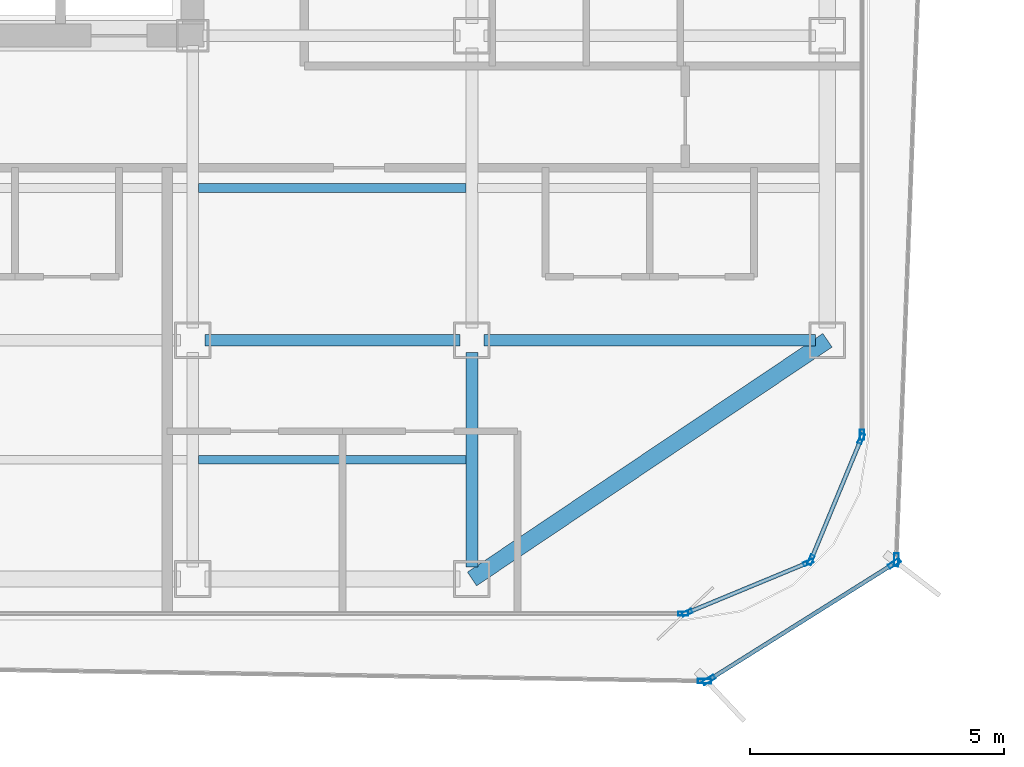
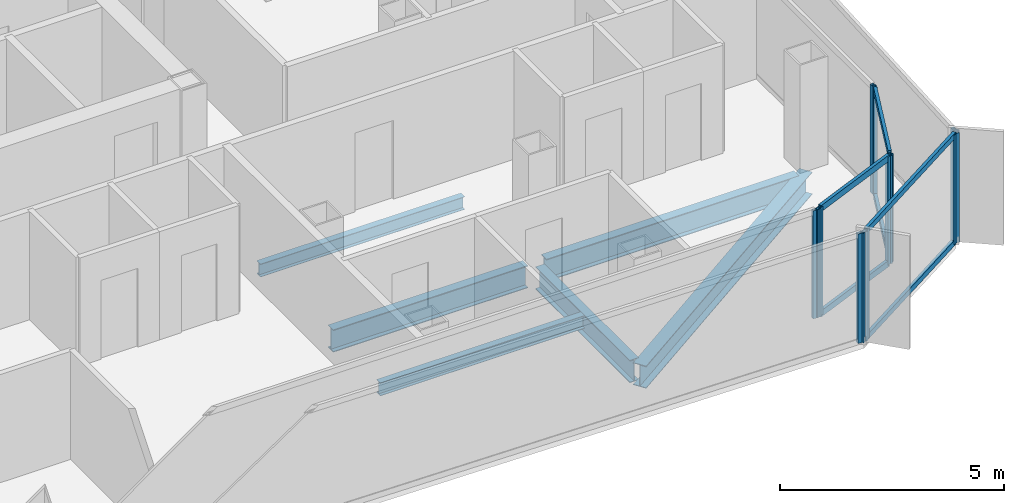
# One storey, part 4 of 16: 16 members, 6 beams, 7 elements without a shape of their own.
"""IFC4 building model written with IfcOpenShell, lengths in metres."""

from ifc_helpers import new_model, si_unit, direction, frame, origin, origin_2d, place, context, subcontext, project, spatial, hollow_rectangle, i_section, extrude, source, transform, mapped, material, layer, layer_set, material_profile, profile_set, type_object, element, aggregate, save


model = new_model("IFC4")

# Units and contexts
model_context = context("Model", 3, precision=1e-05, world=origin(), true_north=direction((0.0, 1.0)))
body_context = subcontext(model_context, "Body", "Model", "MODEL_VIEW")
ifc_project = project(units=[si_unit("LENGTHUNIT", "METRE"), si_unit("AREAUNIT", "SQUARE_METRE"), si_unit("VOLUMEUNIT", "CUBIC_METRE"), si_unit("PLANEANGLEUNIT", "RADIAN"), si_unit("MASSUNIT", "GRAM", prefix="KILO")], contexts=[model_context])

# Site, building, storey
site_placement = place(None, origin())
site = spatial("IfcSite", under=ifc_project, at=site_placement, CompositionType="ELEMENT")
building_placement = place(site_placement, origin())
building = spatial("IfcBuilding", under=site, at=building_placement, Name="Kolveth Station Tower", CompositionType="ELEMENT")
storey_placement = place(building_placement, frame((0.0, 0.0, 156.10009765625)))
storey = spatial("IfcBuildingStorey", under=building, at=storey_placement, Name="L43", CompositionType="ELEMENT", Elevation=156.10009765625)

# Beams
ifc_material_1 = material(Name="Steel S355", Category="steel")
ifc_material_profile_1 = material_profile(ifc_material_1, i_section(OverallWidth=0.323974609375, OverallDepth=0.611083984375, WebThickness=0.0126953125, FlangeThickness=0.01904296875, at=origin_2d()), Name="W610x155")
ifc_profile_set_1 = profile_set([ifc_material_profile_1], Name="Steel S355")
beam_type_1 = type_object("IfcBeamType", Name="Beam_SP2", PredefinedType="SPANDREL", material=ifc_profile_set_1)
shared_shape_1 = source(origin(), body_context, "Body", "SweptSolid", [
    extrude(i_section(OverallWidth=0.323974609375, OverallDepth=0.611083984375, WebThickness=0.0126953125, FlangeThickness=0.01904296875, at=origin_2d()), origin(), (0.0, 0.0, 1.0), 8.431396484375),
])
beam_1_placement = place(storey_placement, frame((34.0, 0.800048828125, -0.5556640625), z_axis=(0.830223811004, 0.557430196206, 0.0), x_axis=(-0.557430196206, 0.830223811004, 0.0)))
element("IfcBeam", 1, at=beam_1_placement, inside=storey, type_object=beam_type_1, Name="L43 Corner Edge Girder BM-L43-CNR-SE", PredefinedType="SPANDREL", context=body_context, shape_type="MappedRepresentation", body=[
    mapped(shared_shape_1, transform((0.0, 0.0, 0.0), x_axis=(1.0, 0.0, 0.0), y_axis=(0.0, 1.0, 0.0), z_axis=(0.0, 0.0, 1.0), scale=1.0)),
])
ifc_material_profile_2 = material_profile(ifc_material_1, i_section(OverallWidth=0.22900390625, OverallDepth=0.612060546875, WebThickness=0.011962890625, FlangeThickness=0.01953125, at=origin_2d()), Name="W610x125")
ifc_profile_set_2 = profile_set([ifc_material_profile_2], Name="Steel S355")
beam_type_2 = type_object("IfcBeamType", Name="Beam_B5", PredefinedType="BEAM", material=ifc_profile_set_2)
shared_shape_2 = source(origin(), body_context, "Body", "SweptSolid", [
    extrude(i_section(OverallWidth=0.22900390625, OverallDepth=0.612060546875, WebThickness=0.011962890625, FlangeThickness=0.01953125, at=origin_2d()), origin(), (0.0, 0.0, 1.0), 6.52001953125),
])
beam_2_placement = place(storey_placement, frame((34.239990234375, 5.5, -0.55615234375), z_axis=(1.0, 0.0, 0.0), x_axis=(0.0, 1.0, 0.0)))
element("IfcBeam", 2, at=beam_2_placement, inside=storey, type_object=beam_type_2, Name="L43 Primary Girder BM-L43-GY55-6", PredefinedType="BEAM", context=body_context, shape_type="MappedRepresentation", body=[
    mapped(shared_shape_2, transform((0.0, 0.0, 0.0), x_axis=(1.0, 0.0, 0.0), y_axis=(0.0, 1.0, 0.0), z_axis=(0.0, 0.0, 1.0), scale=1.0)),
])
shared_shape_3 = source(origin(), body_context, "Body", "SweptSolid", [
    extrude(i_section(OverallWidth=0.22900390625, OverallDepth=0.612060546875, WebThickness=0.011962890625, FlangeThickness=0.01953125, at=origin_2d()), origin(), (0.0, 0.0, 1.0), 5.02001953125),
])
beam_3_placement = place(storey_placement, frame((28.739990234375, 5.5, -0.55615234375), z_axis=(1.0, 0.0, 0.0), x_axis=(0.0, 1.0, 0.0)))
element("IfcBeam", 3, at=beam_3_placement, inside=storey, type_object=beam_type_2, Name="L43 Primary Girder BM-L43-GY55-5", PredefinedType="BEAM", context=body_context, shape_type="MappedRepresentation", body=[
    mapped(shared_shape_3, transform((0.0, 0.0, 0.0), x_axis=(1.0, 0.0, 0.0), y_axis=(0.0, 1.0, 0.0), z_axis=(0.0, 0.0, 1.0), scale=1.0)),
])
shared_shape_4 = source(origin(), body_context, "Body", "SweptSolid", [
    extrude(i_section(OverallWidth=0.22900390625, OverallDepth=0.612060546875, WebThickness=0.011962890625, FlangeThickness=0.01953125, at=origin_2d()), origin(), (0.0, 0.0, 1.0), 4.219970703125),
])
beam_4_placement = place(storey_placement, frame((34.0, 1.0400390625, -0.55615234375), z_axis=(0.0, 1.0, 0.0), x_axis=(-1.0, 0.0, 0.0)))
element("IfcBeam", 4, at=beam_4_placement, inside=storey, type_object=beam_type_2, Name="L43 Primary Girder BM-L43-GX340-1", PredefinedType="BEAM", context=body_context, shape_type="MappedRepresentation", body=[
    mapped(shared_shape_4, transform((0.0, 0.0, 0.0), x_axis=(1.0, 0.0, 0.0), y_axis=(0.0, 1.0, 0.0), z_axis=(0.0, 0.0, 1.0), scale=1.0)),
])
ifc_material_profile_3 = material_profile(ifc_material_1, i_section(OverallWidth=0.1708984375, OverallDepth=0.35205078125, WebThickness=0.0068359375, FlangeThickness=0.009765625, at=origin_2d()), Name="W360x44")
ifc_profile_set_3 = profile_set([ifc_material_profile_3], Name="Steel S355")
beam_type_3 = type_object("IfcBeamType", Name="Beam_J2", PredefinedType="JOIST", material=ifc_profile_set_3)
shared_shape_5 = source(origin(), body_context, "Body", "SweptSolid", [
    extrude(i_section(OverallWidth=0.1708984375, OverallDepth=0.35205078125, WebThickness=0.0068359375, FlangeThickness=0.009765625, at=origin_2d()), origin(), (0.0, 0.0, 1.0), 5.27490234375),
])
for number, where, z_axis, x_axis, name in (
    (5, (28.612548828125, 3.14990234375, -0.426025390625), (1.0, 0.0, 0.0), (0.0, 1.0, 0.0), "L43 Secondary Joist JST-L43-5-1"),
    (6, (28.612548828125, 8.5, -0.426025390625), (1.0, 0.0, 0.0), (0.0, 1.0, 0.0), "L43 Secondary Joist JST-L43-5-2"),
):
    element("IfcBeam", number, at=place(storey_placement, frame(where, z_axis=z_axis, x_axis=x_axis)), inside=storey, type_object=beam_type_3, Name=name, PredefinedType="JOIST", context=body_context, shape_type="MappedRepresentation", body=[
        mapped(shared_shape_5, transform((0.0, 0.0, 0.0), x_axis=(1.0, 0.0, 0.0), y_axis=(0.0, 1.0, 0.0), z_axis=(0.0, 0.0, 1.0), scale=1.0)),
    ])

# Curtain wall, members
ifc_material_2 = material(Name="Aluminium 6063-T6 and low-E dark glass", Category="aluminium")
ifc_layer_1 = layer(ifc_material_2, 0.18994140625)
ifc_layer_set_1 = layer_set([ifc_layer_1], Name="Aluminium 6063-T6 and low-E dark glass")
curtain_wall_type_1 = type_object("IfcCurtainWallType", Name="CurtainWall_CW-Z2", PredefinedType="NOTDEFINED", material=ifc_layer_set_1)
curtain_wall_1_placement = place(storey_placement, origin())
curtain_wall_1 = element("IfcCurtainWall", 7, at=curtain_wall_1_placement, inside=storey, type_object=curtain_wall_type_1, Name="L43 Inner Thermal Curtain Wall 1", PredefinedType="NOTDEFINED")
ifc_material_3 = material(Name="Black anodized aluminium 6063-T6", Category="aluminium")
ifc_material_profile_4 = material_profile(ifc_material_3, hollow_rectangle(XDim=0.080078125, YDim=0.199951171875, WallThickness=0.0048828125, at=origin_2d()), Name="ALU-80x200x5")
ifc_profile_set_4 = profile_set([ifc_material_profile_4], Name="Black anodized aluminium 6063-T6")
member_type_1 = type_object("IfcMemberType", Name="Mullion_ML2", PredefinedType="MULLION", material=ifc_profile_set_4)
shared_shape_6 = source(origin(), body_context, "Body", "SweptSolid", [
    extrude(hollow_rectangle(XDim=0.080078125, YDim=0.199951171875, WallThickness=0.0048828125, at=origin_2d()), origin(), (0.0, 0.0, 1.0), 2.949951171875),
])
member_1_placement = place(storey_placement, frame((38.237060546875, 0.13525390625, 0.0), z_axis=(0.0, 0.0, 1.0), x_axis=(-0.382697753087, 0.923873600544, 0.0)))
member_1 = element("IfcMember", 8, at=member_1_placement, type_object=member_type_1, Name="CW-Z2 mullion 1", PredefinedType="MULLION", context=body_context, shape_type="MappedRepresentation", body=[
    mapped(shared_shape_6, transform((0.0, 0.0, 0.0), x_axis=(1.0, 0.0, 0.0), y_axis=(0.0, 1.0, 0.0), z_axis=(0.0, 0.0, 1.0), scale=1.0)),
])
member_2_placement = place(storey_placement, frame((40.623779296875, 1.1240234375, 0.0), z_axis=(0.0, 0.0, 1.0), x_axis=(-0.382697753087, 0.923873600544, 0.0)))
member_2 = element("IfcMember", 9, at=member_2_placement, type_object=member_type_1, Name="CW-Z2 mullion 2", PredefinedType="MULLION", context=body_context, shape_type="MappedRepresentation", body=[
    mapped(shared_shape_6, transform((0.0, 0.0, 0.0), x_axis=(1.0, 0.0, 0.0), y_axis=(0.0, 1.0, 0.0), z_axis=(0.0, 0.0, 1.0), scale=1.0)),
])

curtain_wall_2_placement = place(storey_placement, origin())
curtain_wall_2 = element("IfcCurtainWall", 10, at=curtain_wall_2_placement, inside=storey, type_object=curtain_wall_type_1, Name="L43 Inner Thermal Curtain Wall 2", PredefinedType="NOTDEFINED")
member_3_placement = place(storey_placement, frame((40.676025390625, 1.17626953125, 0.0), z_axis=(0.0, 0.0, 1.0), x_axis=(-0.923873600544, 0.382697753087, 0.0)))
member_3 = element("IfcMember", 11, at=member_3_placement, type_object=member_type_1, Name="CW-Z2 mullion 1", PredefinedType="MULLION", context=body_context, shape_type="MappedRepresentation", body=[
    mapped(shared_shape_6, transform((0.0, 0.0, 0.0), x_axis=(1.0, 0.0, 0.0), y_axis=(0.0, 1.0, 0.0), z_axis=(0.0, 0.0, 1.0), scale=1.0)),
])
member_4_placement = place(storey_placement, frame((41.664794921875, 3.56298828125, 0.0), z_axis=(0.0, 0.0, 1.0), x_axis=(-0.923873600544, 0.382697753087, 0.0)))
member_4 = element("IfcMember", 12, at=member_4_placement, type_object=member_type_1, Name="CW-Z2 mullion 2", PredefinedType="MULLION", context=body_context, shape_type="MappedRepresentation", body=[
    mapped(shared_shape_6, transform((0.0, 0.0, 0.0), x_axis=(1.0, 0.0, 0.0), y_axis=(0.0, 1.0, 0.0), z_axis=(0.0, 0.0, 1.0), scale=1.0)),
])

# Curtain wall, member
curtain_wall_3_placement = place(storey_placement, origin())
curtain_wall_3 = element("IfcCurtainWall", 13, at=curtain_wall_3_placement, inside=storey, type_object=curtain_wall_type_1, Name="L43 Inner Thermal Curtain Wall 3", PredefinedType="NOTDEFINED")
member_5_placement = place(storey_placement, frame((41.679931640625, 3.639892578125, 0.0), z_axis=(0.0, 0.0, 1.0), x_axis=(-1.0, 0.0, 0.0)))
member_5 = element("IfcMember", 14, at=member_5_placement, type_object=member_type_1, Name="CW-Z2 mullion 1", PredefinedType="MULLION", context=body_context, shape_type="MappedRepresentation", body=[
    mapped(shared_shape_6, transform((0.0, 0.0, 0.0), x_axis=(1.0, 0.0, 0.0), y_axis=(0.0, 1.0, 0.0), z_axis=(0.0, 0.0, 1.0), scale=1.0)),
])
aggregate(curtain_wall_3, [member_5])

curtain_wall_4_placement = place(storey_placement, origin())
curtain_wall_4 = element("IfcCurtainWall", 15, at=curtain_wall_4_placement, inside=storey, type_object=curtain_wall_type_1, Name="L43 Inner Thermal Curtain Wall 12", PredefinedType="NOTDEFINED")
member_6_placement = place(storey_placement, frame((38.159912109375, 0.1201171875, 0.0), z_axis=(0.0, 0.0, 1.0), x_axis=(0.0, 1.0, 0.0)))
member_6 = element("IfcMember", 16, at=member_6_placement, type_object=member_type_1, Name="CW-Z2 mullion 2", PredefinedType="MULLION", context=body_context, shape_type="MappedRepresentation", body=[
    mapped(shared_shape_6, transform((0.0, 0.0, 0.0), x_axis=(1.0, 0.0, 0.0), y_axis=(0.0, 1.0, 0.0), z_axis=(0.0, 0.0, 1.0), scale=1.0)),
])
aggregate(curtain_wall_4, [member_6])

# Curtain wall, members
ifc_material_4 = material(Name="Black anodized aluminium 6063-T6 and dark solar glass", Category="aluminium")
ifc_layer_2 = layer(ifc_material_4, 0.159912109375)
ifc_layer_set_2 = layer_set([ifc_layer_2], Name="Black anodized aluminium 6063-T6 and dark solar glass")
curtain_wall_type_2 = type_object("IfcCurtainWallType", Name="OUTER SKIN CW-OS", PredefinedType="NOTDEFINED", material=ifc_layer_set_2)
curtain_wall_5_placement = place(storey_placement, origin())
curtain_wall_5 = element("IfcCurtainWall", 17, at=curtain_wall_5_placement, inside=storey, type_object=curtain_wall_type_2, Name="L43 Outer Ventilated Skin Curtain Wall 1", PredefinedType="NOTDEFINED")
ifc_material_profile_5 = material_profile(ifc_material_3, hollow_rectangle(XDim=0.090087890625, YDim=0.260009765625, WallThickness=0.0048828125, at=origin_2d()), Name="ALU-90x260x5")
ifc_profile_set_5 = profile_set([ifc_material_profile_5], Name="Black anodized aluminium 6063-T6")
member_type_2 = type_object("IfcMemberType", Name="FIN MULLION ML-OS", PredefinedType="MULLION", material=ifc_profile_set_5)
shared_shape_7 = source(origin(), body_context, "Body", "SweptSolid", [
    extrude(hollow_rectangle(XDim=0.090087890625, YDim=0.260009765625, WallThickness=0.0048828125, at=origin_2d()), origin(), (0.0, 0.0, 1.0), 2.989990234375),
])
member_7_placement = place(storey_placement, frame((38.66259765625, -1.18798828125, 0.0), z_axis=(0.0, 0.0, 1.0), x_axis=(-0.531966094475, 0.846765654906, 0.0)))
member_7 = element("IfcMember", 18, at=member_7_placement, type_object=member_type_2, Name="CW-OS mullion 1", PredefinedType="MULLION", context=body_context, shape_type="MappedRepresentation", body=[
    mapped(shared_shape_7, transform((0.0, 0.0, 0.0), x_axis=(1.0, 0.0, 0.0), y_axis=(0.0, 1.0, 0.0), z_axis=(0.0, 0.0, 1.0), scale=1.0)),
])
member_8_placement = place(storey_placement, frame((42.317626953125, 1.108154296875, 0.0), z_axis=(0.0, 0.0, 1.0), x_axis=(-0.531966094475, 0.846765654906, 0.0)))
member_8 = element("IfcMember", 19, at=member_8_placement, type_object=member_type_2, Name="CW-OS mullion 2", PredefinedType="MULLION", context=body_context, shape_type="MappedRepresentation", body=[
    mapped(shared_shape_7, transform((0.0, 0.0, 0.0), x_axis=(1.0, 0.0, 0.0), y_axis=(0.0, 1.0, 0.0), z_axis=(0.0, 0.0, 1.0), scale=1.0)),
])

# Curtain wall, member
curtain_wall_6_placement = place(storey_placement, origin())
curtain_wall_6 = element("IfcCurtainWall", 20, at=curtain_wall_6_placement, inside=storey, type_object=curtain_wall_type_2, Name="L43 Outer Ventilated Skin Curtain Wall 2", PredefinedType="NOTDEFINED")
member_9_placement = place(storey_placement, frame((42.357421875, 1.177001953125, 0.0), z_axis=(0.0, 0.0, 1.0), x_axis=(-0.999263435262, 0.038374300635, 0.0)))
member_9 = element("IfcMember", 21, at=member_9_placement, type_object=member_type_2, Name="CW-OS mullion 1", PredefinedType="MULLION", context=body_context, shape_type="MappedRepresentation", body=[
    mapped(shared_shape_7, transform((0.0, 0.0, 0.0), x_axis=(1.0, 0.0, 0.0), y_axis=(0.0, 1.0, 0.0), z_axis=(0.0, 0.0, 1.0), scale=1.0)),
])
aggregate(curtain_wall_6, [member_9])

curtain_wall_7_placement = place(storey_placement, origin())
curtain_wall_7 = element("IfcCurtainWall", 22, at=curtain_wall_7_placement, inside=storey, type_object=curtain_wall_type_2, Name="L43 Outer Ventilated Skin Curtain Wall 8", PredefinedType="NOTDEFINED")
member_10_placement = place(storey_placement, frame((38.57958984375, -1.211181640625, 0.0), z_axis=(0.0, 0.0, 1.0), x_axis=(0.015877934865, 0.999873937646, 0.0)))
member_10 = element("IfcMember", 23, at=member_10_placement, type_object=member_type_2, Name="CW-OS mullion 2", PredefinedType="MULLION", context=body_context, shape_type="MappedRepresentation", body=[
    mapped(shared_shape_7, transform((0.0, 0.0, 0.0), x_axis=(1.0, 0.0, 0.0), y_axis=(0.0, 1.0, 0.0), z_axis=(0.0, 0.0, 1.0), scale=1.0)),
])
aggregate(curtain_wall_7, [member_10])

# Member
ifc_material_profile_6 = material_profile(ifc_material_3, hollow_rectangle(XDim=0.080078125, YDim=0.169921875, WallThickness=0.0048828125, at=origin_2d()), Name="ALU-80x170x5")
ifc_profile_set_6 = profile_set([ifc_material_profile_6], Name="Black anodized aluminium 6063-T6")
member_type_3 = type_object("IfcMemberType", Name="Transom_TR2", PredefinedType="USERDEFINED", material=ifc_profile_set_6)
shared_shape_8 = source(origin(), body_context, "Body", "SweptSolid", [
    extrude(hollow_rectangle(XDim=0.080078125, YDim=0.169921875, WallThickness=0.0048828125, at=origin_2d()), origin(), (0.0, 0.0, 1.0), 2.50341796875),
])
member_11_placement = place(storey_placement, frame((38.27392578125, 0.150634765625, 0.039794921875), z_axis=(0.923874190494, 0.382696328882, 0.0), x_axis=(-0.382696328882, 0.923874190494, 0.0)))
member_11 = element("IfcMember", 24, at=member_11_placement, type_object=member_type_3, Name="CW-Z2 transom 1.1", ObjectType="TRANSOM", PredefinedType="USERDEFINED", context=body_context, shape_type="MappedRepresentation", body=[
    mapped(shared_shape_8, transform((0.0, 0.0, 0.0), x_axis=(1.0, 0.0, 0.0), y_axis=(0.0, 1.0, 0.0), z_axis=(0.0, 0.0, 1.0), scale=1.0)),
])

member_12_placement = place(storey_placement, frame((38.27392578125, 0.150634765625, 2.909912109375), z_axis=(0.923874190494, 0.382696328882, 0.0), x_axis=(-0.382696328882, 0.923874190494, 0.0)))
member_12 = element("IfcMember", 25, at=member_12_placement, type_object=member_type_3, Name="CW-Z2 transom 1.2", ObjectType="TRANSOM", PredefinedType="USERDEFINED", context=body_context, shape_type="MappedRepresentation", body=[
    mapped(shared_shape_8, transform((0.0, 0.0, 0.0), x_axis=(1.0, 0.0, 0.0), y_axis=(0.0, 1.0, 0.0), z_axis=(0.0, 0.0, 1.0), scale=1.0)),
])

aggregate(curtain_wall_1, [member_1, member_2, member_11, member_12])

member_13_placement = place(storey_placement, frame((40.69140625, 1.213134765625, 0.039794921875), z_axis=(0.382661849723, 0.923888472039, 0.0), x_axis=(-0.923888472039, 0.382661849723, 0.0)))
member_13 = element("IfcMember", 26, at=member_13_placement, type_object=member_type_3, Name="CW-Z2 transom 1.1", ObjectType="TRANSOM", PredefinedType="USERDEFINED", context=body_context, shape_type="MappedRepresentation", body=[
    mapped(shared_shape_8, transform((0.0, 0.0, 0.0), x_axis=(1.0, 0.0, 0.0), y_axis=(0.0, 1.0, 0.0), z_axis=(0.0, 0.0, 1.0), scale=1.0)),
])

member_14_placement = place(storey_placement, frame((40.69140625, 1.213134765625, 2.909912109375), z_axis=(0.382661849723, 0.923888472039, 0.0), x_axis=(-0.923888472039, 0.382661849723, 0.0)))
member_14 = element("IfcMember", 27, at=member_14_placement, type_object=member_type_3, Name="CW-Z2 transom 1.2", ObjectType="TRANSOM", PredefinedType="USERDEFINED", context=body_context, shape_type="MappedRepresentation", body=[
    mapped(shared_shape_8, transform((0.0, 0.0, 0.0), x_axis=(1.0, 0.0, 0.0), y_axis=(0.0, 1.0, 0.0), z_axis=(0.0, 0.0, 1.0), scale=1.0)),
])

aggregate(curtain_wall_2, [member_3, member_4, member_13, member_14])

ifc_material_profile_7 = material_profile(ifc_material_3, hollow_rectangle(XDim=0.080078125, YDim=0.14990234375, WallThickness=0.0048828125, at=origin_2d()), Name="ALU-80x150x5")
ifc_profile_set_7 = profile_set([ifc_material_profile_7], Name="Black anodized aluminium 6063-T6")
member_type_4 = type_object("IfcMemberType", Name="Transom_TR-OS", PredefinedType="USERDEFINED", material=ifc_profile_set_7)
shared_shape_9 = source(origin(), body_context, "Body", "SweptSolid", [
    extrude(hollow_rectangle(XDim=0.080078125, YDim=0.14990234375, WallThickness=0.0048828125, at=origin_2d()), origin(), (0.0, 0.0, 1.0), 4.226318359375),
])
member_15_placement = place(storey_placement, frame((38.700927734375, -1.1640625, 0.039794921875), z_axis=(0.846756254258, 0.531981057816, 0.0), x_axis=(-0.531981057816, 0.846756254258, 0.0)))
member_15 = element("IfcMember", 28, at=member_15_placement, type_object=member_type_4, Name="CW-OS transom 1.1", ObjectType="TRANSOM", PredefinedType="USERDEFINED", context=body_context, shape_type="MappedRepresentation", body=[
    mapped(shared_shape_9, transform((0.0, 0.0, 0.0), x_axis=(1.0, 0.0, 0.0), y_axis=(0.0, 1.0, 0.0), z_axis=(0.0, 0.0, 1.0), scale=1.0)),
])

member_16_placement = place(storey_placement, frame((38.700927734375, -1.1640625, 2.949951171875), z_axis=(0.846756254258, 0.531981057816, 0.0), x_axis=(-0.531981057816, 0.846756254258, 0.0)))
member_16 = element("IfcMember", 29, at=member_16_placement, type_object=member_type_4, Name="CW-OS transom 1.2", ObjectType="TRANSOM", PredefinedType="USERDEFINED", context=body_context, shape_type="MappedRepresentation", body=[
    mapped(shared_shape_9, transform((0.0, 0.0, 0.0), x_axis=(1.0, 0.0, 0.0), y_axis=(0.0, 1.0, 0.0), z_axis=(0.0, 0.0, 1.0), scale=1.0)),
])

aggregate(curtain_wall_5, [member_7, member_8, member_15, member_16])

save(model, "model.ifc")
